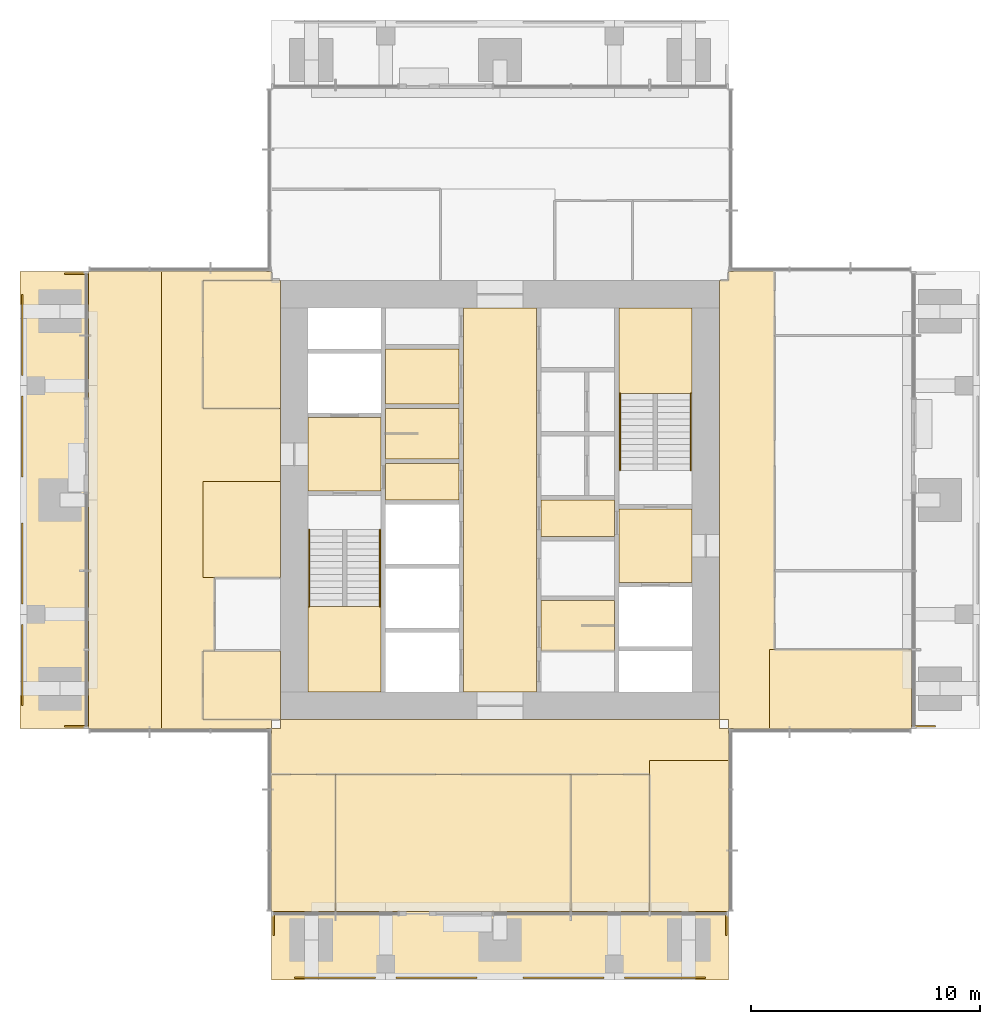
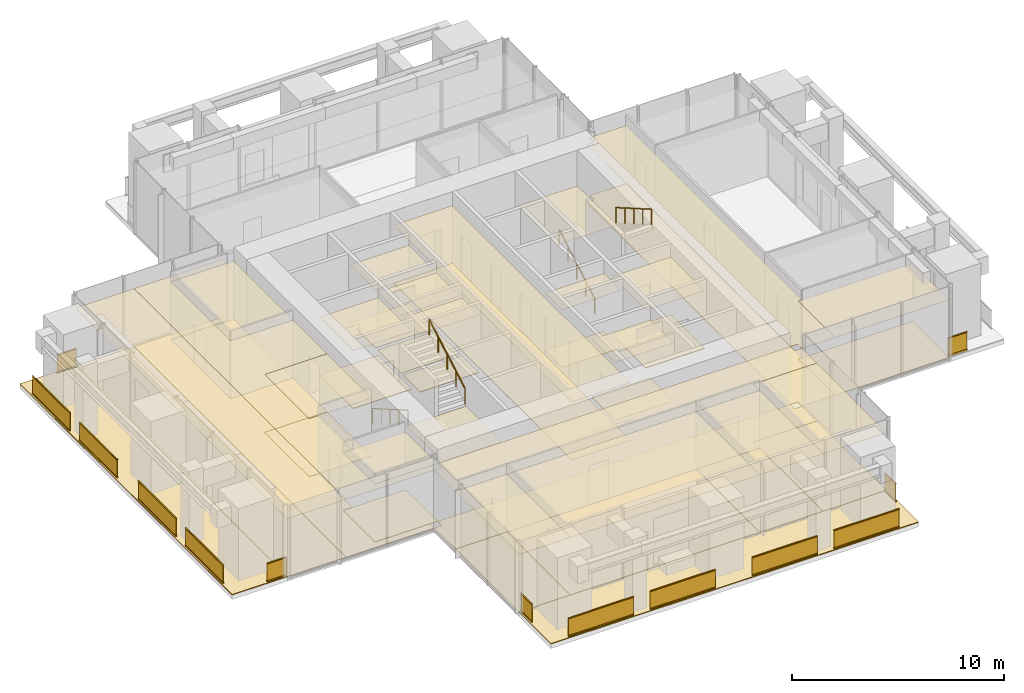
# One storey, part 10 of 12: 44 coverings, 17 railings.
"""IFC4 building model written with IfcOpenShell, lengths in metres."""

from ifc_helpers import new_model, si_unit, direction, frame, origin, origin_2d, place, context, subcontext, project, spatial, polyline, rectangle, circle, outline, extrude, material, layer, layer_set, type_object, element, save


model = new_model("IFC4")

# Units and contexts
model_context = context("Model", 3, precision=1e-05, world=origin(), true_north=direction((0.0, 1.0)))
body_context = subcontext(model_context, "Body", "Model", "MODEL_VIEW")
ifc_project = project(units=[si_unit("LENGTHUNIT", "METRE"), si_unit("AREAUNIT", "SQUARE_METRE"), si_unit("VOLUMEUNIT", "CUBIC_METRE"), si_unit("PLANEANGLEUNIT", "RADIAN"), si_unit("MASSUNIT", "GRAM", prefix="KILO")], contexts=[model_context])

# Site, building, storey
site_placement = place(None, origin())
site = spatial("IfcSite", under=ifc_project, at=site_placement, CompositionType="ELEMENT")
building_placement = place(site_placement, origin())
building = spatial("IfcBuilding", under=site, at=building_placement, Name="Svetlomir Tower", CompositionType="ELEMENT")
storey_placement = place(building_placement, frame((0.0, 0.0, 248.199951171875)))
storey = spatial("IfcBuildingStorey", under=building, at=storey_placement, Name="L59", CompositionType="ELEMENT", Elevation=248.199951171875)

# Railings
ifc_material_1 = material(Name="Bronze anodised aluminium and laminated glass", Category="aluminium")
railing_type_1 = type_object("IfcRailingType", Name="BALCONY GUARD GR1 1100", PredefinedType="GUARDRAIL", material=ifc_material_1)
for number, where, name in (
    (1, (12.0, 0.10009765625, 0.0), "Loggia guard S L59 bay 1"),
    (2, (16.449951171875, 0.10009765625, 0.0), "Loggia guard S L59 bay 2"),
    (3, (22.0, 0.10009765625, 0.0), "Loggia guard S L59 bay 3"),
    (4, (26.449951171875, 0.10009765625, 0.0), "Loggia guard S L59 bay 4"),
):
    element("IfcRailing", number, at=place(storey_placement, frame(where)), inside=storey, type_object=railing_type_1, Name=name, PredefinedType="GUARDRAIL", context=body_context, shape_type="SweptSolid", body=[
        extrude(rectangle(XDim=0.06005859375, YDim=0.10009765625, at=origin_2d()), frame((0.0, 0.0, 0.050048828125), z_axis=(1.0, 0.0, 0.0), x_axis=(0.0, 1.0, 0.0)), (0.0, 0.0, 1.0), 3.550048828125),
        extrude(rectangle(XDim=0.021484375, YDim=0.960205078125, at=origin_2d()), frame((0.0, 0.0, 0.580078125), z_axis=(1.0, 0.0, 0.0), x_axis=(0.0, 1.0, 0.0)), (0.0, 0.0, 1.0), 3.550048828125),
        extrude(rectangle(XDim=0.06005859375, YDim=0.0400390625, at=origin_2d()), frame((0.0, 0.0, 1.080078125), z_axis=(1.0, 0.0, 0.0), x_axis=(0.0, 1.0, 0.0)), (0.0, 0.0, 1.0), 3.550048828125),
    ])
for number, where, name in (
    (5, (11.10009765625, 1.949951171875, 0.0), "Loggia guard S L59 end 1"),
    (6, (30.89990234375, 1.949951171875, 0.0), "Loggia guard S L59 end 2"),
):
    element("IfcRailing", number, at=place(storey_placement, frame(where)), inside=storey, type_object=railing_type_1, Name=name, PredefinedType="GUARDRAIL", context=body_context, shape_type="SweptSolid", body=[
        extrude(rectangle(XDim=0.06005859375, YDim=0.10009765625, at=origin_2d()), frame((0.0, 0.0, 0.050048828125), z_axis=(0.0, 1.0, 0.0), x_axis=(-1.0, 0.0, 0.0)), (0.0, 0.0, 1.0), 1.050048828125),
        extrude(rectangle(XDim=0.021484375, YDim=0.960205078125, at=origin_2d()), frame((0.0, 0.0, 0.580078125), z_axis=(0.0, 1.0, 0.0), x_axis=(-1.0, 0.0, 0.0)), (0.0, 0.0, 1.0), 1.050048828125),
        extrude(rectangle(XDim=0.06005859375, YDim=0.0400390625, at=origin_2d()), frame((0.0, 0.0, 1.080078125), z_axis=(0.0, 1.0, 0.0), x_axis=(-1.0, 0.0, 0.0)), (0.0, 0.0, 1.0), 1.050048828125),
    ])
railing_1_placement = place(storey_placement, frame((40.050048828125, 11.10009765625, 0.0)))
element("IfcRailing", 7, at=railing_1_placement, inside=storey, type_object=railing_type_1, Name="Loggia guard E L59 end 1", PredefinedType="GUARDRAIL", context=body_context, shape_type="SweptSolid", body=[
    extrude(rectangle(XDim=0.06005859375, YDim=0.10009765625, at=origin_2d()), frame((0.0, 0.0, 0.050048828125), z_axis=(-1.0, 0.0, 0.0), x_axis=(0.0, -1.0, 0.0)), (0.0, 0.0, 1.0), 1.050048828125),
    extrude(rectangle(XDim=0.021484375, YDim=0.960205078125, at=origin_2d()), frame((0.0, 0.0, 0.580078125), z_axis=(-1.0, 0.0, 0.0), x_axis=(0.0, -1.0, 0.0)), (0.0, 0.0, 1.0), 1.050048828125),
    extrude(rectangle(XDim=0.06005859375, YDim=0.0400390625, at=origin_2d()), frame((0.0, 0.0, 1.080078125), z_axis=(-1.0, 0.0, 0.0), x_axis=(0.0, -1.0, 0.0)), (0.0, 0.0, 1.0), 1.050048828125),
])
for number, where, name in (
    (8, (0.10009765625, 12.0, 0.0), "Loggia guard W L59 bay 1"),
    (9, (0.10009765625, 16.449951171875, 0.0), "Loggia guard W L59 bay 2"),
    (10, (0.10009765625, 22.0, 0.0), "Loggia guard W L59 bay 3"),
    (11, (0.10009765625, 26.449951171875, 0.0), "Loggia guard W L59 bay 4"),
):
    element("IfcRailing", number, at=place(storey_placement, frame(where)), inside=storey, type_object=railing_type_1, Name=name, PredefinedType="GUARDRAIL", context=body_context, shape_type="SweptSolid", body=[
        extrude(rectangle(XDim=0.06005859375, YDim=0.10009765625, at=origin_2d()), frame((0.0, 0.0, 0.050048828125), z_axis=(0.0, 1.0, 0.0), x_axis=(-1.0, 0.0, 0.0)), (0.0, 0.0, 1.0), 3.550048828125),
        extrude(rectangle(XDim=0.021484375, YDim=0.960205078125, at=origin_2d()), frame((0.0, 0.0, 0.580078125), z_axis=(0.0, 1.0, 0.0), x_axis=(-1.0, 0.0, 0.0)), (0.0, 0.0, 1.0), 3.550048828125),
        extrude(rectangle(XDim=0.06005859375, YDim=0.0400390625, at=origin_2d()), frame((0.0, 0.0, 1.080078125), z_axis=(0.0, 1.0, 0.0), x_axis=(-1.0, 0.0, 0.0)), (0.0, 0.0, 1.0), 3.550048828125),
    ])
for number, where, name in (
    (12, (1.949951171875, 11.10009765625, 0.0), "Loggia guard W L59 end 1"),
    (13, (1.949951171875, 30.89990234375, 0.0), "Loggia guard W L59 end 2"),
):
    element("IfcRailing", number, at=place(storey_placement, frame(where)), inside=storey, type_object=railing_type_1, Name=name, PredefinedType="GUARDRAIL", context=body_context, shape_type="SweptSolid", body=[
        extrude(rectangle(XDim=0.06005859375, YDim=0.10009765625, at=origin_2d()), frame((0.0, 0.0, 0.050048828125), z_axis=(1.0, 0.0, 0.0), x_axis=(0.0, 1.0, 0.0)), (0.0, 0.0, 1.0), 1.050048828125),
        extrude(rectangle(XDim=0.021484375, YDim=0.960205078125, at=origin_2d()), frame((0.0, 0.0, 0.580078125), z_axis=(1.0, 0.0, 0.0), x_axis=(0.0, 1.0, 0.0)), (0.0, 0.0, 1.0), 1.050048828125),
        extrude(rectangle(XDim=0.06005859375, YDim=0.0400390625, at=origin_2d()), frame((0.0, 0.0, 1.080078125), z_axis=(1.0, 0.0, 0.0), x_axis=(0.0, 1.0, 0.0)), (0.0, 0.0, 1.0), 1.050048828125),
    ])

# Coverings
ifc_material_2 = material(Name="Granite paving slabs on pedestals", Category="masonry")
ifc_layer_1 = layer(ifc_material_2, 0.0400390625)
ifc_layer_set_1 = layer_set([ifc_layer_1], Name="Granite paving slabs on pedestals")
covering_type_1 = type_object("IfcCoveringType", Name="BALCONY PAVING 40", PredefinedType="USERDEFINED", material=ifc_layer_set_1)
covering_1_placement = place(storey_placement, origin())
element("IfcCovering", 14, at=covering_1_placement, inside=storey, type_object=covering_type_1, Name="Loggia paving S L59", ObjectType="BALCONY PAVING", PredefinedType="USERDEFINED", context=body_context, shape_type="SweptSolid", body=[
    extrude(outline(polyline([(11.0, 0.0), (31.0, 0.0), (31.0, 3.0), (11.0, 3.0), (11.0, 0.0)])), origin(), (0.0, 0.0, 1.0), 0.0400390625),
])
covering_2_placement = place(storey_placement, origin())
element("IfcCovering", 15, at=covering_2_placement, inside=storey, type_object=covering_type_1, Name="Loggia paving W L59", ObjectType="BALCONY PAVING", PredefinedType="USERDEFINED", context=body_context, shape_type="SweptSolid", body=[
    extrude(outline(polyline([(0.0, 11.0), (3.0, 11.0), (3.0, 31.0), (0.0, 31.0), (0.0, 11.0)])), origin(), (0.0, 0.0, 1.0), 0.0400390625),
])
ifc_material_3 = material(Name="Ceramic floor tile", Category="ceramic")
ifc_layer_2 = layer(ifc_material_3, 0.014892578125)
ifc_layer_set_2 = layer_set([ifc_layer_2], Name="Ceramic floor tile")
covering_type_2 = type_object("IfcCoveringType", Name="CERAMIC TILE FLOOR 15", PredefinedType="FLOORING", material=ifc_layer_set_2)
covering_3_placement = place(storey_placement, origin())
element("IfcCovering", 16, at=covering_3_placement, inside=storey, type_object=covering_type_2, Name="Floor finish L59-04", PredefinedType="FLOORING", context=body_context, shape_type="SweptSolid", body=[
    extrude(outline(polyline([(16.0, 22.800048828125), (19.199951171875, 22.800048828125), (19.199951171875, 25.0), (16.0, 25.0), (16.0, 22.800048828125)])), origin(), (0.0, 0.0, 1.0), 0.01513671875),
])
covering_4_placement = place(storey_placement, origin())
element("IfcCovering", 17, at=covering_4_placement, inside=storey, type_object=covering_type_2, Name="Floor finish L59-05", PredefinedType="FLOORING", context=body_context, shape_type="SweptSolid", body=[
    extrude(outline(polyline([(16.0, 25.199951171875), (19.199951171875, 25.199951171875), (19.199951171875, 27.60009765625), (16.0, 27.60009765625), (16.0, 25.199951171875)])), origin(), (0.0, 0.0, 1.0), 0.01513671875),
])
covering_5_placement = place(storey_placement, origin())
element("IfcCovering", 18, at=covering_5_placement, inside=storey, type_object=covering_type_2, Name="Floor finish L59-09", PredefinedType="FLOORING", context=body_context, shape_type="SweptSolid", body=[
    extrude(outline(polyline([(22.800048828125, 14.39990234375), (26.0, 14.39990234375), (26.0, 16.60009765625), (22.800048828125, 16.60009765625), (22.800048828125, 14.39990234375)])), origin(), (0.0, 0.0, 1.0), 0.01513671875),
])

# Railings
ifc_material_4 = material(Name="Stainless steel", Category="steel")
railing_type_2 = type_object("IfcRailingType", Name="HANDRAIL HR1 900", PredefinedType="HANDRAIL", material=ifc_material_4)
railing_2_placement = place(storey_placement, frame((12.64990234375, 19.699951171875, 0.16162109375)))
element("IfcRailing", 19, at=railing_2_placement, inside=storey, type_object=railing_type_2, Name="Handrail S1 flight 1 L59", PredefinedType="HANDRAIL", context=body_context, shape_type="SweptSolid", body=[
    extrude(circle(Radius=0.02392578125, at=origin_2d()), frame((0.0, 0.0, 0.8759765625), z_axis=(0.0, -0.866175107563, 0.499740615757), x_axis=(1.0, 0.0, 0.0)), (0.0, 0.0, 1.0), 3.87890625),
    extrude(circle(Radius=0.02099609375, at=origin_2d()), origin(), (0.0, 0.0, 1.0), 0.851806640625),
    extrude(circle(Radius=0.02099609375, at=origin_2d()), frame((0.0, -0.83984375, 0.484619140625)), (0.0, 0.0, 1.0), 0.851806640625),
    extrude(circle(Radius=0.02099609375, at=origin_2d()), frame((0.0, -1.679931640625, 0.96923828125)), (0.0, 0.0, 1.0), 0.851806640625),
    extrude(circle(Radius=0.02099609375, at=origin_2d()), frame((0.0, -2.52001953125, 1.453857421875)), (0.0, 0.0, 1.0), 0.851806640625),
    extrude(circle(Radius=0.02099609375, at=origin_2d()), frame((0.0, -3.35986328125, 1.9384765625)), (0.0, 0.0, 1.0), 0.851806640625),
])
for number, where, name in (
    (20, (15.75, 16.340087890625, 2.261474609375), "Handrail S1 flight 2 L59"),
    (21, (26.25, 22.300048828125, 0.16162109375), "Handrail S2 flight 1 L59"),
):
    element("IfcRailing", number, at=place(storey_placement, frame(where)), inside=storey, type_object=railing_type_2, Name=name, PredefinedType="HANDRAIL", context=body_context, shape_type="SweptSolid", body=[
        extrude(circle(Radius=0.02392578125, at=origin_2d()), frame((0.0, 0.0, 0.8759765625), z_axis=(0.0, 0.866175107563, 0.499740615757), x_axis=(-1.0, 0.0, 0.0)), (0.0, 0.0, 1.0), 3.87890625),
        extrude(circle(Radius=0.02099609375, at=origin_2d()), origin(), (0.0, 0.0, 1.0), 0.851806640625),
        extrude(circle(Radius=0.02099609375, at=origin_2d()), frame((0.0, 0.83984375, 0.484619140625)), (0.0, 0.0, 1.0), 0.851806640625),
        extrude(circle(Radius=0.02099609375, at=origin_2d()), frame((0.0, 1.679931640625, 0.96923828125)), (0.0, 0.0, 1.0), 0.851806640625),
        extrude(circle(Radius=0.02099609375, at=origin_2d()), frame((0.0, 2.52001953125, 1.453857421875)), (0.0, 0.0, 1.0), 0.851806640625),
        extrude(circle(Radius=0.02099609375, at=origin_2d()), frame((0.0, 3.35986328125, 1.9384765625)), (0.0, 0.0, 1.0), 0.851806640625),
    ])
railing_3_placement = place(storey_placement, frame((29.35009765625, 25.659912109375, 2.261474609375)))
element("IfcRailing", 22, at=railing_3_placement, inside=storey, type_object=railing_type_2, Name="Handrail S2 flight 2 L59", PredefinedType="HANDRAIL", context=body_context, shape_type="SweptSolid", body=[
    extrude(circle(Radius=0.02392578125, at=origin_2d()), frame((0.0, 0.0, 0.8759765625), z_axis=(0.0, -0.866175107563, 0.499740615757), x_axis=(1.0, 0.0, 0.0)), (0.0, 0.0, 1.0), 3.87890625),
    extrude(circle(Radius=0.02099609375, at=origin_2d()), origin(), (0.0, 0.0, 1.0), 0.851806640625),
    extrude(circle(Radius=0.02099609375, at=origin_2d()), frame((0.0, -0.83984375, 0.484619140625)), (0.0, 0.0, 1.0), 0.851806640625),
    extrude(circle(Radius=0.02099609375, at=origin_2d()), frame((0.0, -1.679931640625, 0.96923828125)), (0.0, 0.0, 1.0), 0.851806640625),
    extrude(circle(Radius=0.02099609375, at=origin_2d()), frame((0.0, -2.52001953125, 1.453857421875)), (0.0, 0.0, 1.0), 0.851806640625),
    extrude(circle(Radius=0.02099609375, at=origin_2d()), frame((0.0, -3.35986328125, 1.9384765625)), (0.0, 0.0, 1.0), 0.851806640625),
])

# Coverings
ifc_material_5 = material(Name="Moisture resistant plasterboard ceiling", Category="gypsum")
ifc_layer_3 = layer(ifc_material_5, 0.012451171875)
ifc_layer_set_3 = layer_set([ifc_layer_3], Name="Moisture resistant plasterboard ceiling")
covering_type_3 = type_object("IfcCoveringType", Name="MOISTURE RESISTANT CEILING 12.5", PredefinedType="CEILING", material=ifc_layer_set_3)
covering_6_placement = place(storey_placement, frame((0.0, 0.0, 3.337646484375)))
element("IfcCovering", 23, at=covering_6_placement, inside=storey, type_object=covering_type_3, Name="Ceiling L59-04", PredefinedType="CEILING", context=body_context, shape_type="SweptSolid", body=[
    extrude(outline(polyline([(16.0, 22.800048828125), (19.199951171875, 22.800048828125), (19.199951171875, 25.0), (16.0, 25.0), (16.0, 22.800048828125)])), origin(), (0.0, 0.0, 1.0), 0.012451171875),
])
covering_7_placement = place(storey_placement, frame((0.0, 0.0, 3.337646484375)))
element("IfcCovering", 24, at=covering_7_placement, inside=storey, type_object=covering_type_3, Name="Ceiling L59-05", PredefinedType="CEILING", context=body_context, shape_type="SweptSolid", body=[
    extrude(outline(polyline([(16.0, 25.199951171875), (19.199951171875, 25.199951171875), (19.199951171875, 27.60009765625), (16.0, 27.60009765625), (16.0, 25.199951171875)])), origin(), (0.0, 0.0, 1.0), 0.012451171875),
])
covering_8_placement = place(storey_placement, frame((0.0, 0.0, 3.337646484375)))
element("IfcCovering", 25, at=covering_8_placement, inside=storey, type_object=covering_type_3, Name="Ceiling L59-09", PredefinedType="CEILING", context=body_context, shape_type="SweptSolid", body=[
    extrude(outline(polyline([(22.800048828125, 14.39990234375), (26.0, 14.39990234375), (26.0, 16.60009765625), (22.800048828125, 16.60009765625), (22.800048828125, 14.39990234375)])), origin(), (0.0, 0.0, 1.0), 0.012451171875),
])
ifc_material_6 = material(Name="Engineered oak floor", Category="wood")
ifc_layer_4 = layer(ifc_material_6, 0.02001953125)
ifc_layer_set_4 = layer_set([ifc_layer_4], Name="Engineered oak floor")
covering_type_4 = type_object("IfcCoveringType", Name="OAK FLOOR 20", PredefinedType="FLOORING", material=ifc_layer_set_4)
covering_9_placement = place(storey_placement, origin())
element("IfcCovering", 26, at=covering_9_placement, inside=storey, type_object=covering_type_4, Name="Floor finish L59-19", PredefinedType="FLOORING", context=body_context, shape_type="SweptSolid", body=[
    extrude(outline(polyline([(11.0, 3.0), (13.800048828125, 3.0), (13.800048828125, 9.0), (11.0, 9.0), (11.0, 3.0)])), origin(), (0.0, 0.0, 1.0), 0.02001953125),
])
covering_10_placement = place(storey_placement, origin())
element("IfcCovering", 27, at=covering_10_placement, inside=storey, type_object=covering_type_4, Name="Floor finish L59-20", PredefinedType="FLOORING", context=body_context, shape_type="SweptSolid", body=[
    extrude(outline(polyline([(13.800048828125, 3.0), (24.10009765625, 3.0), (24.10009765625, 9.0), (13.800048828125, 9.0), (13.800048828125, 3.0)])), origin(), (0.0, 0.0, 1.0), 0.02001953125),
])
covering_11_placement = place(storey_placement, origin())
element("IfcCovering", 28, at=covering_11_placement, inside=storey, type_object=covering_type_4, Name="Floor finish L59-21", PredefinedType="FLOORING", context=body_context, shape_type="SweptSolid", body=[
    extrude(outline(polyline([(24.10009765625, 3.0), (27.550048828125, 3.0), (27.550048828125, 9.0), (24.10009765625, 9.0), (24.10009765625, 3.0)])), origin(), (0.0, 0.0, 1.0), 0.02001953125),
])
covering_12_placement = place(storey_placement, origin())
element("IfcCovering", 29, at=covering_12_placement, inside=storey, type_object=covering_type_4, Name="Floor finish L59-28", PredefinedType="FLOORING", context=body_context, shape_type="SweptSolid", body=[
    extrude(outline(polyline([(8.0, 11.39990234375), (11.39990234375, 11.39990234375), (11.39990234375, 14.39990234375), (8.0, 14.39990234375), (8.0, 11.39990234375)])), origin(), (0.0, 0.0, 1.0), 0.02001953125),
])
covering_13_placement = place(storey_placement, origin())
element("IfcCovering", 30, at=covering_13_placement, inside=storey, type_object=covering_type_4, Name="Floor finish L59-30", PredefinedType="FLOORING", context=body_context, shape_type="SweptSolid", body=[
    extrude(outline(polyline([(8.0, 25.0), (11.39990234375, 25.0), (11.39990234375, 30.60009765625), (8.0, 30.60009765625), (8.0, 25.0)])), origin(), (0.0, 0.0, 1.0), 0.02001953125),
])
covering_14_placement = place(storey_placement, origin())
element("IfcCovering", 31, at=covering_14_placement, inside=storey, type_object=covering_type_4, Name="Floor finish L59-31", PredefinedType="FLOORING", context=body_context, shape_type="SweptSolid", body=[
    extrude(outline(polyline([(11.0, 11.0), (11.39990234375, 11.0), (11.39990234375, 11.39990234375), (30.60009765625, 11.39990234375), (30.60009765625, 11.0), (31.0, 11.0), (31.0, 9.60009765625), (27.550048828125, 9.60009765625), (27.550048828125, 9.0), (11.0, 9.0), (11.0, 11.0)])), origin(), (0.0, 0.0, 1.0), 0.02001953125),
])
covering_15_placement = place(storey_placement, origin())
element("IfcCovering", 32, at=covering_15_placement, inside=storey, type_object=covering_type_4, Name="Floor finish L59-32", PredefinedType="FLOORING", context=body_context, shape_type="SweptSolid", body=[
    extrude(outline(polyline([(6.199951171875, 11.0), (6.199951171875, 31.0), (11.0, 31.0), (11.0, 30.60009765625), (8.0, 30.60009765625), (8.0, 25.0), (11.39990234375, 25.0), (11.39990234375, 21.800048828125), (8.0, 21.800048828125), (8.0, 17.60009765625), (8.5, 17.60009765625), (8.5, 14.39990234375), (8.0, 14.39990234375), (8.0, 11.39990234375), (11.0, 11.39990234375), (11.0, 11.0), (6.199951171875, 11.0)])), origin(), (0.0, 0.0, 1.0), 0.02001953125),
])
covering_16_placement = place(storey_placement, origin())
element("IfcCovering", 33, at=covering_16_placement, inside=storey, type_object=covering_type_4, Name="Floor finish L59-33", PredefinedType="FLOORING", context=body_context, shape_type="SweptSolid", body=[
    extrude(outline(polyline([(30.60009765625, 30.60009765625), (31.0, 30.60009765625), (31.0, 31.0), (33.0, 31.0), (33.0, 14.449951171875), (32.800048828125, 14.449951171875), (32.800048828125, 11.0), (31.0, 11.0), (31.0, 11.39990234375), (30.60009765625, 11.39990234375), (30.60009765625, 30.60009765625)])), origin(), (0.0, 0.0, 1.0), 0.02001953125),
])
covering_17_placement = place(storey_placement, origin())
element("IfcCovering", 34, at=covering_17_placement, inside=storey, type_object=covering_type_4, Name="Floor finish L59-35", PredefinedType="FLOORING", context=body_context, shape_type="SweptSolid", body=[
    extrude(outline(polyline([(27.550048828125, 3.0), (27.550048828125, 9.60009765625), (31.0, 9.60009765625), (31.0, 3.0), (27.550048828125, 3.0)])), origin(), (0.0, 0.0, 1.0), 0.02001953125),
])
covering_18_placement = place(storey_placement, origin())
element("IfcCovering", 35, at=covering_18_placement, inside=storey, type_object=covering_type_4, Name="Floor finish L59-36", PredefinedType="FLOORING", context=body_context, shape_type="SweptSolid", body=[
    extrude(outline(polyline([(32.800048828125, 14.449951171875), (39.0, 14.449951171875), (39.0, 11.0), (32.800048828125, 11.0), (32.800048828125, 14.449951171875)])), origin(), (0.0, 0.0, 1.0), 0.02001953125),
])
covering_19_placement = place(storey_placement, origin())
element("IfcCovering", 36, at=covering_19_placement, inside=storey, type_object=covering_type_4, Name="Floor finish L59-39", PredefinedType="FLOORING", context=body_context, shape_type="SweptSolid", body=[
    extrude(outline(polyline([(3.0, 31.0), (6.199951171875, 31.0), (6.199951171875, 11.0), (3.0, 11.0), (3.0, 31.0)])), origin(), (0.0, 0.0, 1.0), 0.02001953125),
])
covering_20_placement = place(storey_placement, origin())
element("IfcCovering", 37, at=covering_20_placement, inside=storey, type_object=covering_type_4, Name="Floor finish L59-40", PredefinedType="FLOORING", context=body_context, shape_type="SweptSolid", body=[
    extrude(outline(polyline([(8.0, 17.60009765625), (8.0, 21.800048828125), (11.39990234375, 21.800048828125), (11.39990234375, 17.60009765625), (8.0, 17.60009765625)])), origin(), (0.0, 0.0, 1.0), 0.02001953125),
])
ifc_material_7 = material(Name="Gypsum plasterboard ceiling", Category="gypsum")
ifc_layer_5 = layer(ifc_material_7, 0.014892578125)
ifc_layer_set_5 = layer_set([ifc_layer_5], Name="Gypsum plasterboard ceiling")
covering_type_5 = type_object("IfcCoveringType", Name="PLASTERBOARD CEILING 15", PredefinedType="CEILING", material=ifc_layer_set_5)
covering_21_placement = place(storey_placement, frame((0.0, 0.0, 3.3349609375)))
element("IfcCovering", 38, at=covering_21_placement, inside=storey, type_object=covering_type_5, Name="Ceiling L59-02", PredefinedType="CEILING", context=body_context, shape_type="SweptSolid", body=[
    extrude(outline(polyline([(12.60009765625, 21.39990234375), (15.800048828125, 21.39990234375), (15.800048828125, 24.60009765625), (12.60009765625, 24.60009765625), (12.60009765625, 21.39990234375)])), origin(), (0.0, 0.0, 1.0), 0.01513671875),
])
covering_22_placement = place(storey_placement, frame((0.0, 0.0, 3.3349609375)))
element("IfcCovering", 39, at=covering_22_placement, inside=storey, type_object=covering_type_5, Name="Ceiling L59-03", PredefinedType="CEILING", context=body_context, shape_type="SweptSolid", body=[
    extrude(outline(polyline([(16.0, 21.0), (19.199951171875, 21.0), (19.199951171875, 22.60009765625), (16.0, 22.60009765625), (16.0, 21.0)])), origin(), (0.0, 0.0, 1.0), 0.01513671875),
])
covering_23_placement = place(storey_placement, frame((0.0, 0.0, 3.3349609375)))
element("IfcCovering", 40, at=covering_23_placement, inside=storey, type_object=covering_type_5, Name="Ceiling L59-07", PredefinedType="CEILING", context=body_context, shape_type="SweptSolid", body=[
    extrude(outline(polyline([(19.39990234375, 12.60009765625), (22.60009765625, 12.60009765625), (22.60009765625, 29.39990234375), (19.39990234375, 29.39990234375), (19.39990234375, 12.60009765625)])), origin(), (0.0, 0.0, 1.0), 0.01513671875),
])
covering_24_placement = place(storey_placement, frame((0.0, 0.0, 3.3349609375)))
element("IfcCovering", 41, at=covering_24_placement, inside=storey, type_object=covering_type_5, Name="Ceiling L59-11", PredefinedType="CEILING", context=body_context, shape_type="SweptSolid", body=[
    extrude(outline(polyline([(22.800048828125, 19.39990234375), (26.0, 19.39990234375), (26.0, 21.0), (22.800048828125, 21.0), (22.800048828125, 19.39990234375)])), origin(), (0.0, 0.0, 1.0), 0.01513671875),
])
covering_25_placement = place(storey_placement, frame((0.0, 0.0, 3.3349609375)))
element("IfcCovering", 42, at=covering_25_placement, inside=storey, type_object=covering_type_5, Name="Ceiling L59-12", PredefinedType="CEILING", context=body_context, shape_type="SweptSolid", body=[
    extrude(outline(polyline([(26.199951171875, 17.39990234375), (29.39990234375, 17.39990234375), (29.39990234375, 20.60009765625), (26.199951171875, 20.60009765625), (26.199951171875, 17.39990234375)])), origin(), (0.0, 0.0, 1.0), 0.01513671875),
])
ifc_material_8 = material(Name="Studded rubber floor finish", Category="rubber")
ifc_layer_6 = layer(ifc_material_8, 0.006103515625)
ifc_layer_set_6 = layer_set([ifc_layer_6], Name="Studded rubber floor finish")
covering_type_6 = type_object("IfcCoveringType", Name="RUBBER LANDING FINISH 6", PredefinedType="FLOORING", material=ifc_layer_set_6)
covering_26_placement = place(storey_placement, frame((0.0, 0.0, 2.10009765625)))
element("IfcCovering", 43, at=covering_26_placement, inside=storey, type_object=covering_type_6, Name="Stair S1 landing finish L59", PredefinedType="FLOORING", context=body_context, shape_type="SweptSolid", body=[
    extrude(outline(polyline([(12.60009765625, 12.60009765625), (15.800048828125, 12.60009765625), (15.800048828125, 16.340087890625), (12.60009765625, 16.340087890625), (12.60009765625, 12.60009765625)])), origin(), (0.0, 0.0, 1.0), 0.005859375),
])
covering_27_placement = place(storey_placement, frame((0.0, 0.0, 2.10009765625)))
element("IfcCovering", 44, at=covering_27_placement, inside=storey, type_object=covering_type_6, Name="Stair S2 landing finish L59", PredefinedType="FLOORING", context=body_context, shape_type="SweptSolid", body=[
    extrude(outline(polyline([(26.199951171875, 25.659912109375), (29.39990234375, 25.659912109375), (29.39990234375, 29.39990234375), (26.199951171875, 29.39990234375), (26.199951171875, 25.659912109375)])), origin(), (0.0, 0.0, 1.0), 0.005859375),
])
ifc_material_9 = material(Name="Mineral fibre ceiling tile", Category="mineral")
ifc_layer_7 = layer(ifc_material_9, 0.02001953125)
ifc_layer_set_7 = layer_set([ifc_layer_7], Name="Mineral fibre ceiling tile")
covering_type_7 = type_object("IfcCoveringType", Name="SUSPENDED CEILING 20", PredefinedType="CEILING", material=ifc_layer_set_7)
covering_28_placement = place(storey_placement, frame((0.0, 0.0, 3.330078125)))
element("IfcCovering", 45, at=covering_28_placement, inside=storey, type_object=covering_type_7, Name="Ceiling L59-19", PredefinedType="CEILING", context=body_context, shape_type="SweptSolid", body=[
    extrude(outline(polyline([(11.0, 3.0), (13.800048828125, 3.0), (13.800048828125, 9.0), (11.0, 9.0), (11.0, 3.0)])), origin(), (0.0, 0.0, 1.0), 0.02001953125),
])
covering_29_placement = place(storey_placement, frame((0.0, 0.0, 3.330078125)))
element("IfcCovering", 46, at=covering_29_placement, inside=storey, type_object=covering_type_7, Name="Ceiling L59-20", PredefinedType="CEILING", context=body_context, shape_type="SweptSolid", body=[
    extrude(outline(polyline([(13.800048828125, 3.0), (24.10009765625, 3.0), (24.10009765625, 9.0), (13.800048828125, 9.0), (13.800048828125, 3.0)])), origin(), (0.0, 0.0, 1.0), 0.02001953125),
])
covering_30_placement = place(storey_placement, frame((0.0, 0.0, 3.330078125)))
element("IfcCovering", 47, at=covering_30_placement, inside=storey, type_object=covering_type_7, Name="Ceiling L59-21", PredefinedType="CEILING", context=body_context, shape_type="SweptSolid", body=[
    extrude(outline(polyline([(24.10009765625, 3.0), (27.550048828125, 3.0), (27.550048828125, 9.0), (24.10009765625, 9.0), (24.10009765625, 3.0)])), origin(), (0.0, 0.0, 1.0), 0.02001953125),
])
covering_31_placement = place(storey_placement, frame((0.0, 0.0, 3.330078125)))
element("IfcCovering", 48, at=covering_31_placement, inside=storey, type_object=covering_type_7, Name="Ceiling L59-28", PredefinedType="CEILING", context=body_context, shape_type="SweptSolid", body=[
    extrude(outline(polyline([(8.0, 11.39990234375), (11.39990234375, 11.39990234375), (11.39990234375, 14.39990234375), (8.0, 14.39990234375), (8.0, 11.39990234375)])), origin(), (0.0, 0.0, 1.0), 0.02001953125),
])
covering_32_placement = place(storey_placement, frame((0.0, 0.0, 3.330078125)))
element("IfcCovering", 49, at=covering_32_placement, inside=storey, type_object=covering_type_7, Name="Ceiling L59-30", PredefinedType="CEILING", context=body_context, shape_type="SweptSolid", body=[
    extrude(outline(polyline([(8.0, 25.0), (11.39990234375, 25.0), (11.39990234375, 30.60009765625), (8.0, 30.60009765625), (8.0, 25.0)])), origin(), (0.0, 0.0, 1.0), 0.02001953125),
])
covering_33_placement = place(storey_placement, frame((0.0, 0.0, 3.330078125)))
element("IfcCovering", 50, at=covering_33_placement, inside=storey, type_object=covering_type_7, Name="Ceiling L59-31", PredefinedType="CEILING", context=body_context, shape_type="SweptSolid", body=[
    extrude(outline(polyline([(11.0, 11.0), (11.39990234375, 11.0), (11.39990234375, 11.39990234375), (30.60009765625, 11.39990234375), (30.60009765625, 11.0), (31.0, 11.0), (31.0, 9.60009765625), (27.550048828125, 9.60009765625), (27.550048828125, 9.0), (11.0, 9.0), (11.0, 11.0)])), origin(), (0.0, 0.0, 1.0), 0.02001953125),
])
covering_34_placement = place(storey_placement, frame((0.0, 0.0, 3.330078125)))
element("IfcCovering", 51, at=covering_34_placement, inside=storey, type_object=covering_type_7, Name="Ceiling L59-32", PredefinedType="CEILING", context=body_context, shape_type="SweptSolid", body=[
    extrude(outline(polyline([(6.199951171875, 11.0), (6.199951171875, 31.0), (11.0, 31.0), (11.0, 30.60009765625), (8.0, 30.60009765625), (8.0, 25.0), (11.39990234375, 25.0), (11.39990234375, 21.800048828125), (8.0, 21.800048828125), (8.0, 17.60009765625), (8.5, 17.60009765625), (8.5, 14.39990234375), (8.0, 14.39990234375), (8.0, 11.39990234375), (11.0, 11.39990234375), (11.0, 11.0), (6.199951171875, 11.0)])), origin(), (0.0, 0.0, 1.0), 0.02001953125),
])
covering_35_placement = place(storey_placement, frame((0.0, 0.0, 3.330078125)))
element("IfcCovering", 52, at=covering_35_placement, inside=storey, type_object=covering_type_7, Name="Ceiling L59-33", PredefinedType="CEILING", context=body_context, shape_type="SweptSolid", body=[
    extrude(outline(polyline([(30.60009765625, 30.60009765625), (31.0, 30.60009765625), (31.0, 31.0), (33.0, 31.0), (33.0, 14.449951171875), (32.800048828125, 14.449951171875), (32.800048828125, 11.0), (31.0, 11.0), (31.0, 11.39990234375), (30.60009765625, 11.39990234375), (30.60009765625, 30.60009765625)])), origin(), (0.0, 0.0, 1.0), 0.02001953125),
])
covering_36_placement = place(storey_placement, frame((0.0, 0.0, 3.330078125)))
element("IfcCovering", 53, at=covering_36_placement, inside=storey, type_object=covering_type_7, Name="Ceiling L59-35", PredefinedType="CEILING", context=body_context, shape_type="SweptSolid", body=[
    extrude(outline(polyline([(27.550048828125, 3.0), (27.550048828125, 9.60009765625), (31.0, 9.60009765625), (31.0, 3.0), (27.550048828125, 3.0)])), origin(), (0.0, 0.0, 1.0), 0.02001953125),
])
covering_37_placement = place(storey_placement, frame((0.0, 0.0, 3.330078125)))
element("IfcCovering", 54, at=covering_37_placement, inside=storey, type_object=covering_type_7, Name="Ceiling L59-36", PredefinedType="CEILING", context=body_context, shape_type="SweptSolid", body=[
    extrude(outline(polyline([(32.800048828125, 14.449951171875), (39.0, 14.449951171875), (39.0, 11.0), (32.800048828125, 11.0), (32.800048828125, 14.449951171875)])), origin(), (0.0, 0.0, 1.0), 0.02001953125),
])
covering_38_placement = place(storey_placement, frame((0.0, 0.0, 3.330078125)))
element("IfcCovering", 55, at=covering_38_placement, inside=storey, type_object=covering_type_7, Name="Ceiling L59-39", PredefinedType="CEILING", context=body_context, shape_type="SweptSolid", body=[
    extrude(outline(polyline([(3.0, 31.0), (6.199951171875, 31.0), (6.199951171875, 11.0), (3.0, 11.0), (3.0, 31.0)])), origin(), (0.0, 0.0, 1.0), 0.02001953125),
])
covering_39_placement = place(storey_placement, frame((0.0, 0.0, 3.330078125)))
element("IfcCovering", 56, at=covering_39_placement, inside=storey, type_object=covering_type_7, Name="Ceiling L59-40", PredefinedType="CEILING", context=body_context, shape_type="SweptSolid", body=[
    extrude(outline(polyline([(8.0, 17.60009765625), (8.0, 21.800048828125), (11.39990234375, 21.800048828125), (11.39990234375, 17.60009765625), (8.0, 17.60009765625)])), origin(), (0.0, 0.0, 1.0), 0.02001953125),
])
ifc_material_10 = material(Name="Bronze-aggregate terrazzo", Category="stone")
ifc_layer_8 = layer(ifc_material_10, 0.030029296875)
ifc_layer_set_8 = layer_set([ifc_layer_8], Name="Bronze-aggregate terrazzo")
covering_type_8 = type_object("IfcCoveringType", Name="TERRAZZO FLOOR 30", PredefinedType="FLOORING", material=ifc_layer_set_8)
covering_40_placement = place(storey_placement, origin())
element("IfcCovering", 57, at=covering_40_placement, inside=storey, type_object=covering_type_8, Name="Floor finish L59-02", PredefinedType="FLOORING", context=body_context, shape_type="SweptSolid", body=[
    extrude(outline(polyline([(12.60009765625, 21.39990234375), (15.800048828125, 21.39990234375), (15.800048828125, 24.60009765625), (12.60009765625, 24.60009765625), (12.60009765625, 21.39990234375)])), origin(), (0.0, 0.0, 1.0), 0.030029296875),
])
covering_41_placement = place(storey_placement, origin())
element("IfcCovering", 58, at=covering_41_placement, inside=storey, type_object=covering_type_8, Name="Floor finish L59-03", PredefinedType="FLOORING", context=body_context, shape_type="SweptSolid", body=[
    extrude(outline(polyline([(16.0, 21.0), (19.199951171875, 21.0), (19.199951171875, 22.60009765625), (16.0, 22.60009765625), (16.0, 21.0)])), origin(), (0.0, 0.0, 1.0), 0.030029296875),
])
covering_42_placement = place(storey_placement, origin())
element("IfcCovering", 59, at=covering_42_placement, inside=storey, type_object=covering_type_8, Name="Floor finish L59-07", PredefinedType="FLOORING", context=body_context, shape_type="SweptSolid", body=[
    extrude(outline(polyline([(19.39990234375, 12.60009765625), (22.60009765625, 12.60009765625), (22.60009765625, 29.39990234375), (19.39990234375, 29.39990234375), (19.39990234375, 12.60009765625)])), origin(), (0.0, 0.0, 1.0), 0.030029296875),
])
covering_43_placement = place(storey_placement, origin())
element("IfcCovering", 60, at=covering_43_placement, inside=storey, type_object=covering_type_8, Name="Floor finish L59-11", PredefinedType="FLOORING", context=body_context, shape_type="SweptSolid", body=[
    extrude(outline(polyline([(22.800048828125, 19.39990234375), (26.0, 19.39990234375), (26.0, 21.0), (22.800048828125, 21.0), (22.800048828125, 19.39990234375)])), origin(), (0.0, 0.0, 1.0), 0.030029296875),
])
covering_44_placement = place(storey_placement, origin())
element("IfcCovering", 61, at=covering_44_placement, inside=storey, type_object=covering_type_8, Name="Floor finish L59-12", PredefinedType="FLOORING", context=body_context, shape_type="SweptSolid", body=[
    extrude(outline(polyline([(26.199951171875, 17.39990234375), (29.39990234375, 17.39990234375), (29.39990234375, 20.60009765625), (26.199951171875, 20.60009765625), (26.199951171875, 17.39990234375)])), origin(), (0.0, 0.0, 1.0), 0.030029296875),
])

save(model, "model.ifc")
